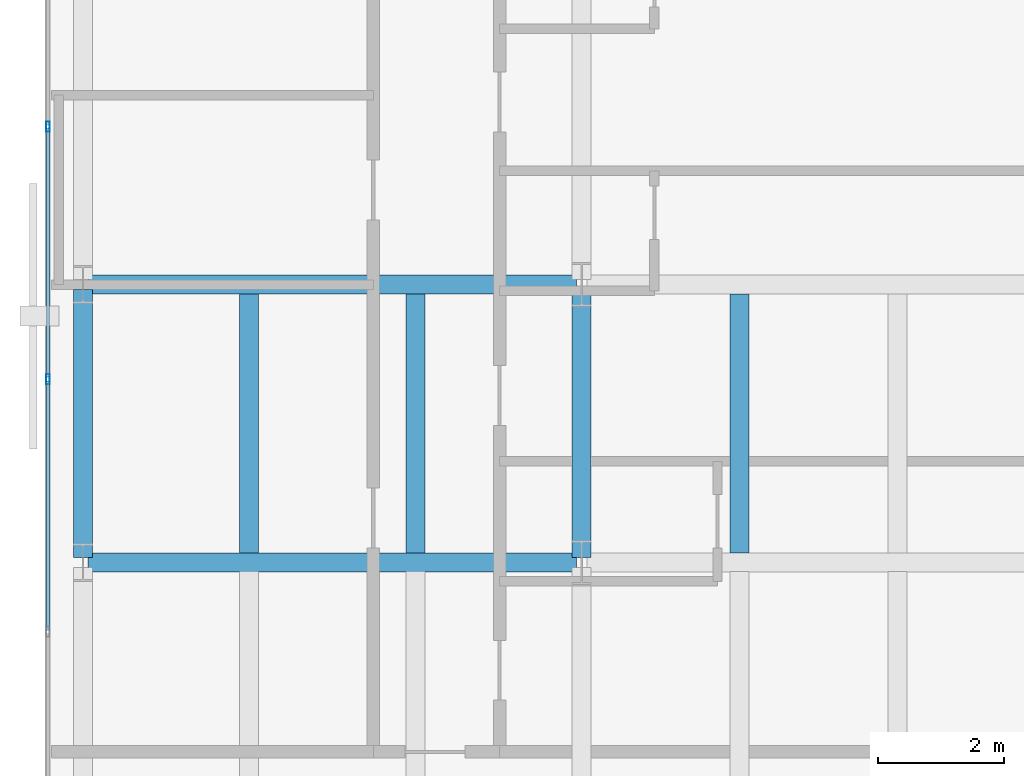
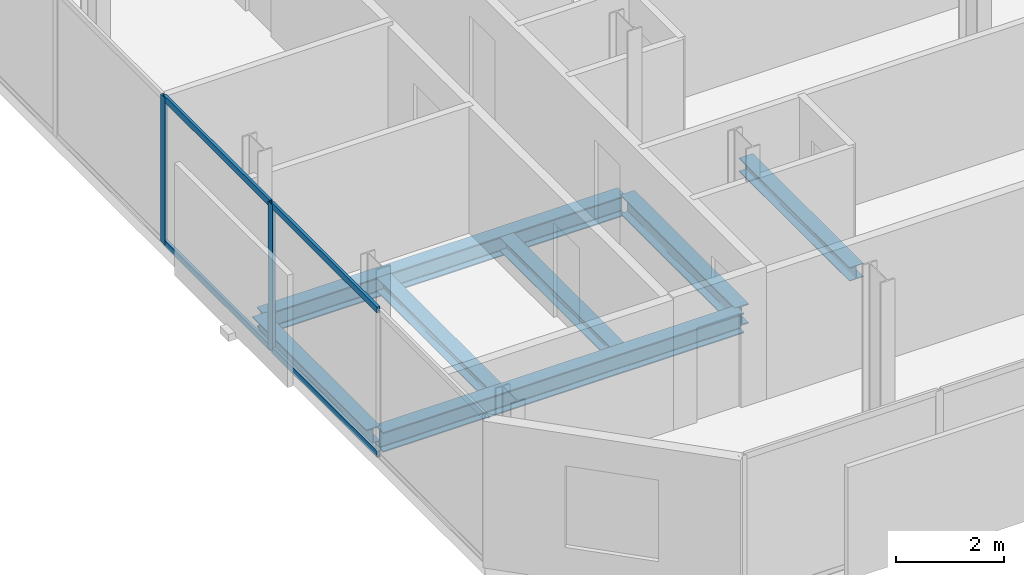
# One storey, part 5 of 32: 7 beams, 6 members, 1 element without a shape of its own.
"""IFC4 building model written with IfcOpenShell, lengths in metres."""

from ifc_helpers import new_model, si_unit, direction, frame, origin, origin_2d, place, context, subcontext, project, spatial, hollow_rectangle, i_section, extrude, material, layer, layer_set, material_profile, profile_set, type_object, element, aggregate, save


model = new_model("IFC4")

# Units and contexts
model_context = context("Model", 3, precision=1e-05, world=origin(), true_north=direction((0.0, 1.0)))
body_context = subcontext(model_context, "Body", "Model", "MODEL_VIEW")
ifc_project = project(units=[si_unit("LENGTHUNIT", "METRE"), si_unit("AREAUNIT", "SQUARE_METRE"), si_unit("VOLUMEUNIT", "CUBIC_METRE"), si_unit("PLANEANGLEUNIT", "RADIAN"), si_unit("MASSUNIT", "GRAM", prefix="KILO")], contexts=[model_context])

# Site, building, storey
site_placement = place(None, origin())
site = spatial("IfcSite", under=ifc_project, at=site_placement, CompositionType="ELEMENT")
building_placement = place(site_placement, origin())
building = spatial("IfcBuilding", under=site, at=building_placement, Name="Catumbela Crestline Tower", CompositionType="ELEMENT")
storey_placement = place(building_placement, frame((0.0, 0.0, 129.6)))
storey = spatial("IfcBuildingStorey", under=building, at=storey_placement, Name="L33", CompositionType="ELEMENT", Elevation=129.6)

# Beams
ifc_material_1 = material(Name="Structural steel S355J2", Category="steel")
ifc_material_profile_1 = material_profile(ifc_material_1, i_section(OverallWidth=0.3, OverallDepth=0.45, WebThickness=0.014, FlangeThickness=0.026, FilletRadius=0.027, at=origin_2d()), Name="HEB 450")
ifc_profile_set_1 = profile_set([ifc_material_profile_1], Name="Structural steel S355J2")
beam_type_1 = type_object("IfcBeamType", Name="BG-HEB450", PredefinedType="BEAM", material=ifc_profile_set_1)
for number, where, z_axis, x_axis, name in (
    (1, (0.68, 13.6, -0.485), (1.0, 0.0, 0.0), (0.0, 1.0, 0.0), "L33 Beam BM-L33-WEW46"),
    (2, (0.68, 18.0, -0.485), (1.0, 0.0, 0.0), (0.0, 1.0, 0.0), "L33 Beam BM-L33-WEW49"),
):
    element("IfcBeam", number, at=place(storey_placement, frame(where, z_axis=z_axis, x_axis=x_axis)), inside=storey, type_object=beam_type_1, Name=name, PredefinedType="BEAM", context=body_context, shape_type="SweptSolid", body=[
        extrude(i_section(OverallWidth=0.3, OverallDepth=0.45, WebThickness=0.014, FlangeThickness=0.026, FilletRadius=0.027, at=origin_2d()), origin(), (0.0, 0.0, 1.0), 7.74),
    ])
beam_1_placement = place(storey_placement, frame((8.5, 13.68, -0.485), z_axis=(0.0, 1.0, 0.0), x_axis=(-1.0, 0.0, 0.0)))
element("IfcBeam", 3, at=beam_1_placement, inside=storey, type_object=beam_type_1, Name="L33 Beam BM-L33-WNS56", PredefinedType="BEAM", context=body_context, shape_type="SweptSolid", body=[
    extrude(i_section(OverallWidth=0.3, OverallDepth=0.45, WebThickness=0.014, FlangeThickness=0.026, FilletRadius=0.027, at=origin_2d()), origin(), (0.0, 0.0, 1.0), 4.24),
])
ifc_material_profile_2 = material_profile(ifc_material_1, i_section(OverallWidth=0.3, OverallDepth=0.31, WebThickness=0.009, FlangeThickness=0.0155, FilletRadius=0.027, at=origin_2d()), Name="HEA 320")
ifc_profile_set_2 = profile_set([ifc_material_profile_2], Name="Structural steel S355J2")
beam_type_2 = type_object("IfcBeamType", Name="BJ-HEA320", PredefinedType="JOIST", material=ifc_profile_set_2)
for number, where, z_axis, x_axis, name in (
    (4, (3.233, 13.747, -0.415), (0.0, 1.0, 0.0), (-1.0, 0.0, 0.0), "L33 Joist JS-L33-WG69"),
    (5, (5.867, 13.747, -0.415), (0.0, 1.0, 0.0), (-1.0, 0.0, 0.0), "L33 Joist JS-L33-WG70"),
    (6, (11.0, 13.747, -0.415), (0.0, 1.0, 0.0), (-1.0, 0.0, 0.0), "L33 Joist JS-L33-WG71"),
):
    element("IfcBeam", number, at=place(storey_placement, frame(where, z_axis=z_axis, x_axis=x_axis)), inside=storey, type_object=beam_type_2, Name=name, PredefinedType="JOIST", context=body_context, shape_type="SweptSolid", body=[
        extrude(i_section(OverallWidth=0.3, OverallDepth=0.31, WebThickness=0.009, FlangeThickness=0.0155, FilletRadius=0.027, at=origin_2d()), origin(), (0.0, 0.0, 1.0), 4.106),
    ])

# Curtain wall, members
ifc_material_2 = material(Name="Aluminium alloy AW-6060-T66", Category="aluminium")
ifc_layer = layer(ifc_material_2, 0.18, Name="Aluminium alloy AW-6060-T66")
ifc_layer_set = layer_set([ifc_layer], Name="Aluminium alloy AW-6060-T66")
curtain_wall_type = type_object("IfcCurtainWallType", Name="CWU-Z2", PredefinedType="USERDEFINED", material=ifc_layer_set)
curtain_wall_placement = place(storey_placement, origin())
curtain_wall = element("IfcCurtainWall", 7, at=curtain_wall_placement, inside=storey, type_object=curtain_wall_type, Name="L33 Unitised Curtain Wall CW-L33-E9S1", ObjectType="UNITISED", PredefinedType="USERDEFINED")
ifc_material_profile_3 = material_profile(ifc_material_2, hollow_rectangle(XDim=0.06, YDim=0.16, WallThickness=0.004, at=origin_2d()), Name="ALU 160x60x4")
ifc_profile_set_3 = profile_set([ifc_material_profile_3], Name="Aluminium alloy AW-6060-T66")
member_type_1 = type_object("IfcMemberType", Name="MUL-160X60", PredefinedType="MULLION", material=ifc_profile_set_3)
member_1_placement = place(storey_placement, frame((0.05, 20.5, 0.0), z_axis=(0.0, 0.0, 1.0), x_axis=(1.0, 0.0, 0.0)))
member_1 = element("IfcMember", 8, at=member_1_placement, type_object=member_type_1, Name="CWU-Z2 mullion 7", PredefinedType="MULLION", context=body_context, shape_type="SweptSolid", body=[
    extrude(hollow_rectangle(XDim=0.06, YDim=0.16, WallThickness=0.004, at=origin_2d()), origin(), (0.0, 0.0, 1.0), 3.33),
])
member_2_placement = place(storey_placement, frame((0.05, 16.5, 0.0), z_axis=(0.0, 0.0, 1.0), x_axis=(1.0, 0.0, 0.0)))
member_2 = element("IfcMember", 9, at=member_2_placement, type_object=member_type_1, Name="CWU-Z2 mullion 8", PredefinedType="MULLION", context=body_context, shape_type="SweptSolid", body=[
    extrude(hollow_rectangle(XDim=0.06, YDim=0.16, WallThickness=0.004, at=origin_2d()), origin(), (0.0, 0.0, 1.0), 3.33),
])

# Beam
ifc_material_profile_4 = material_profile(ifc_material_1, i_section(OverallWidth=0.3, OverallDepth=0.36, WebThickness=0.0125, FlangeThickness=0.0225, FilletRadius=0.027, at=origin_2d()), Name="HEB 360")
ifc_profile_set_4 = profile_set([ifc_material_profile_4], Name="Structural steel S355J2")
beam_type_3 = type_object("IfcBeamType", Name="BS-HEB360", PredefinedType="SPANDREL", material=ifc_profile_set_4)
beam_2_placement = place(storey_placement, frame((0.6, 13.68, -0.44), z_axis=(0.0, 1.0, 0.0), x_axis=(-1.0, 0.0, 0.0)))
element("IfcBeam", 10, at=beam_2_placement, inside=storey, type_object=beam_type_3, Name="L33 Spandrel SP-L33-WNS53", PredefinedType="SPANDREL", context=body_context, shape_type="SweptSolid", body=[
    extrude(i_section(OverallWidth=0.3, OverallDepth=0.36, WebThickness=0.0125, FlangeThickness=0.0225, FilletRadius=0.027, at=origin_2d()), origin(), (0.0, 0.0, 1.0), 4.24),
])

# Member
ifc_material_profile_5 = material_profile(ifc_material_2, hollow_rectangle(XDim=0.06, YDim=0.14, WallThickness=0.004, at=origin_2d()), Name="ALU 140x60x4")
ifc_profile_set_5 = profile_set([ifc_material_profile_5], Name="Aluminium alloy AW-6060-T66")
member_type_2 = type_object("IfcMemberType", Name="TRN-140X60", PredefinedType="USERDEFINED", material=ifc_profile_set_5)
member_3_placement = place(storey_placement, frame((0.05, 20.4675, 0.03), z_axis=(0.0, -1.0, 0.0), x_axis=(1.0, 0.0, 0.0)))
member_3 = element("IfcMember", 11, at=member_3_placement, type_object=member_type_2, Name="CWU-Z2 transom 7.1", ObjectType="TRANSOM", PredefinedType="USERDEFINED", context=body_context, shape_type="SweptSolid", body=[
    extrude(hollow_rectangle(XDim=0.06, YDim=0.14, WallThickness=0.004, at=origin_2d()), origin(), (0.0, 0.0, 1.0), 3.935),
])

member_4_placement = place(storey_placement, frame((0.05, 20.4675, 3.3), z_axis=(0.0, -1.0, 0.0), x_axis=(1.0, 0.0, 0.0)))
member_4 = element("IfcMember", 12, at=member_4_placement, type_object=member_type_2, Name="CWU-Z2 transom 7.2", ObjectType="TRANSOM", PredefinedType="USERDEFINED", context=body_context, shape_type="SweptSolid", body=[
    extrude(hollow_rectangle(XDim=0.06, YDim=0.14, WallThickness=0.004, at=origin_2d()), origin(), (0.0, 0.0, 1.0), 3.935),
])

member_5_placement = place(storey_placement, frame((0.05, 16.4675, 0.03), z_axis=(0.0, -1.0, 0.0), x_axis=(1.0, 0.0, 0.0)))
member_5 = element("IfcMember", 13, at=member_5_placement, type_object=member_type_2, Name="CWU-Z2 transom 8.1", ObjectType="TRANSOM", PredefinedType="USERDEFINED", context=body_context, shape_type="SweptSolid", body=[
    extrude(hollow_rectangle(XDim=0.06, YDim=0.14, WallThickness=0.004, at=origin_2d()), origin(), (0.0, 0.0, 1.0), 3.935),
])

member_6_placement = place(storey_placement, frame((0.05, 16.4675, 3.3), z_axis=(0.0, -1.0, 0.0), x_axis=(1.0, 0.0, 0.0)))
member_6 = element("IfcMember", 14, at=member_6_placement, type_object=member_type_2, Name="CWU-Z2 transom 8.2", ObjectType="TRANSOM", PredefinedType="USERDEFINED", context=body_context, shape_type="SweptSolid", body=[
    extrude(hollow_rectangle(XDim=0.06, YDim=0.14, WallThickness=0.004, at=origin_2d()), origin(), (0.0, 0.0, 1.0), 3.935),
])

aggregate(curtain_wall, [member_1, member_2, member_3, member_4, member_5, member_6])

save(model, "model.ifc")
